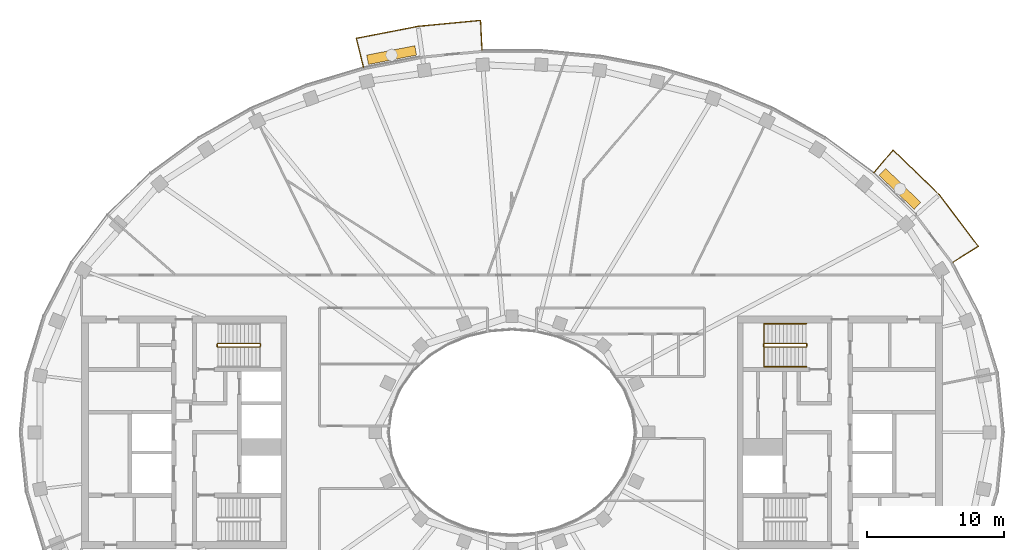
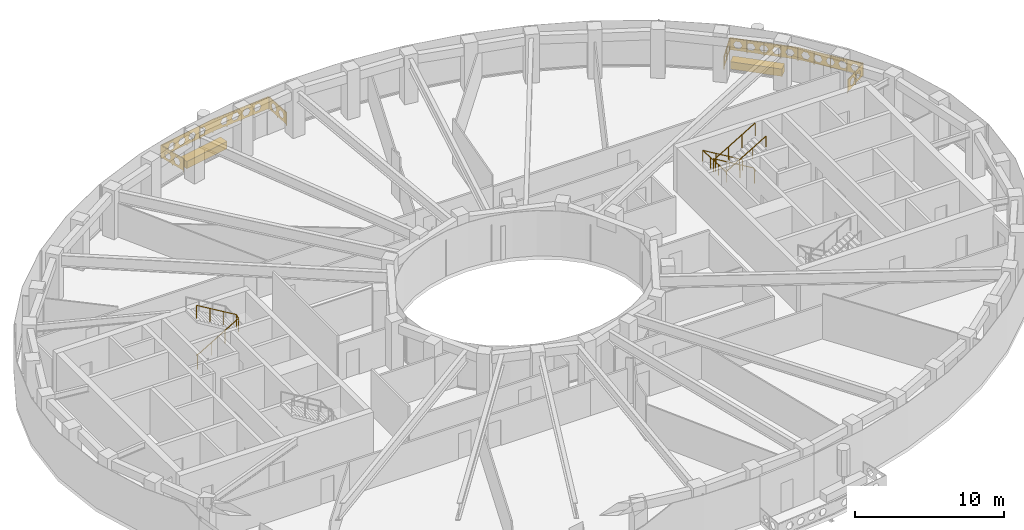
# One storey, part 15 of 16: 5 railings, 2 coverings.
"""IFC4 building model written with IfcOpenShell, lengths in metres."""

from ifc_helpers import new_model, si_unit, direction, frame, origin, origin_2d, place, context, subcontext, project, spatial, polyline, rectangle, outline, extrude, material, type_object, element, save


model = new_model("IFC4")

# Units and contexts
model_context = context("Model", 3, precision=1e-05, world=origin(), true_north=direction((0.0, 1.0)))
body_context = subcontext(model_context, "Body", "Model", "MODEL_VIEW")
ifc_project = project(units=[si_unit("LENGTHUNIT", "METRE"), si_unit("AREAUNIT", "SQUARE_METRE"), si_unit("VOLUMEUNIT", "CUBIC_METRE"), si_unit("PLANEANGLEUNIT", "RADIAN"), si_unit("MASSUNIT", "GRAM", prefix="KILO")], contexts=[model_context])

# Site, building, storey
site_placement = place(None, origin())
site = spatial("IfcSite", under=ifc_project, at=site_placement, CompositionType="ELEMENT")
building_placement = place(site_placement, origin())
building = spatial("IfcBuilding", under=site, at=building_placement, Name="Noorbagh Ring Tower", CompositionType="ELEMENT")
storey_placement = place(building_placement, frame((0.0, 0.0, 299.0)))
storey = spatial("IfcBuildingStorey", under=building, at=storey_placement, Name="L64", CompositionType="ELEMENT", Elevation=299.0)

# Railings
ifc_material_1 = material(Name="Stainless steel", Category="steel")
railing_type_1 = type_object("IfcRailingType", Name="CORE-STAIR-GUARD", PredefinedType="GUARDRAIL", material=ifc_material_1)
railing_1_placement = place(storey_placement, frame((-21.580078125, 6.300048828125, 0.0)))
element("IfcRailing", 1, at=railing_1_placement, inside=storey, type_object=railing_type_1, Name="L64 ST1 stair guard", PredefinedType="GUARDRAIL", context=body_context, shape_type="SweptSolid", body=[
    extrude(rectangle(XDim=0.048095703125, YDim=0.048095703125, at=origin_2d()), frame((0.0, 0.0, 1.076171875), z_axis=(0.0, 1.0, 0.0), x_axis=(-1.0, 0.0, 0.0)), (0.0, 0.0, 1.0), 0.14990234375),
    extrude(rectangle(XDim=0.048095703125, YDim=0.048095703125, at=origin_2d()), frame((0.0, 0.14990234375, 1.076171875), z_axis=(0.188775798145, -0.754182335027, 0.628945707965), x_axis=(0.970072785993, 0.242814311512, 0.0)), (0.0, 0.0, 1.0), 0.26513671875),
    extrude(rectangle(XDim=0.048095703125, YDim=0.048095703125, at=origin_2d()), frame((0.050048828125, -0.050048828125, 1.24267578125), z_axis=(0.859308565015, 0.0, 0.511457515432), x_axis=(0.0, 1.0, 0.0)), (0.0, 0.0, 1.0), 3.58447265625),
    extrude(rectangle(XDim=0.048095703125, YDim=0.048095703125, at=origin_2d()), frame((3.130126953125, -0.050048828125, 3.076171875), z_axis=(0.707106781187, 0.707106781187, 0.0), x_axis=(-0.707106781187, 0.707106781187, 0.0)), (0.0, 0.0, 1.0), 0.07080078125),
    extrude(rectangle(XDim=0.048095703125, YDim=0.048095703125, at=origin_2d()), frame((3.18017578125, 0.0, 3.076171875), z_axis=(0.0, 1.0, 0.0), x_axis=(-1.0, 0.0, 0.0)), (0.0, 0.0, 1.0), 0.14990234375),
    extrude(rectangle(XDim=0.048095703125, YDim=0.048095703125, at=origin_2d()), frame((3.18017578125, 0.14990234375, 3.076171875), z_axis=(-0.27628659633, 0.27628659633, 0.920506074601), x_axis=(-0.707106781187, -0.707106781187, 0.0)), (0.0, 0.0, 1.0), 0.18115234375),
    extrude(rectangle(XDim=0.048095703125, YDim=0.048095703125, at=origin_2d()), frame((3.130126953125, 0.199951171875, 3.24267578125), z_axis=(-0.859308565015, 0.0, 0.511457515432), x_axis=(0.0, -1.0, 0.0)), (0.0, 0.0, 1.0), 3.58447265625),
    extrude(rectangle(XDim=0.0419921875, YDim=0.0419921875, at=origin_2d()), origin(), (0.0, 0.0, 1.0), 1.052001953125),
    extrude(rectangle(XDim=0.0419921875, YDim=0.0419921875, at=origin_2d()), frame((1.07666015625, -0.050048828125, 0.77783203125)), (0.0, 0.0, 1.0), 1.052001953125),
    extrude(rectangle(XDim=0.0419921875, YDim=0.0419921875, at=origin_2d()), frame((2.103515625, -0.050048828125, 1.388916015625)), (0.0, 0.0, 1.0), 1.052001953125),
    extrude(rectangle(XDim=0.0419921875, YDim=0.0419921875, at=origin_2d()), frame((3.130126953125, -0.050048828125, 2.0)), (0.0, 0.0, 1.0), 1.052001953125),
    extrude(rectangle(XDim=0.0419921875, YDim=0.0419921875, at=origin_2d()), frame((3.130126953125, 0.199951171875, 2.166748046875)), (0.0, 0.0, 1.0), 1.052001953125),
    extrude(rectangle(XDim=0.0419921875, YDim=0.0419921875, at=origin_2d()), frame((2.103515625, 0.199951171875, 2.77783203125)), (0.0, 0.0, 1.0), 1.052001953125),
    extrude(rectangle(XDim=0.0419921875, YDim=0.0419921875, at=origin_2d()), frame((1.07666015625, 0.199951171875, 3.388916015625)), (0.0, 0.0, 1.0), 1.052001953125),
    extrude(rectangle(XDim=0.0419921875, YDim=0.0419921875, at=origin_2d()), frame((0.050048828125, 0.199951171875, 4.0)), (0.0, 0.0, 1.0), 1.052001953125),
])
railing_2_placement = place(storey_placement, frame((21.580078125, 6.449951171875, 0.0)))
element("IfcRailing", 2, at=railing_2_placement, inside=storey, type_object=railing_type_1, Name="L64 ST3 stair guard", PredefinedType="GUARDRAIL", context=body_context, shape_type="SweptSolid", body=[
    extrude(rectangle(XDim=0.048095703125, YDim=0.048095703125, at=origin_2d()), frame((0.0, 0.0, 1.076171875), z_axis=(0.0, -1.0, 0.0), x_axis=(1.0, 0.0, 0.0)), (0.0, 0.0, 1.0), 0.14990234375),
    extrude(rectangle(XDim=0.048095703125, YDim=0.048095703125, at=origin_2d()), frame((0.0, -0.14990234375, 1.076171875), z_axis=(-0.188775798145, 0.754182335027, 0.628945707965), x_axis=(-0.970072785993, -0.242814311512, 0.0)), (0.0, 0.0, 1.0), 0.26513671875),
    extrude(rectangle(XDim=0.048095703125, YDim=0.048095703125, at=origin_2d()), frame((-0.050048828125, 0.050048828125, 1.24267578125), z_axis=(-0.859308565015, 0.0, 0.511457515432), x_axis=(0.0, -1.0, 0.0)), (0.0, 0.0, 1.0), 3.58447265625),
    extrude(rectangle(XDim=0.048095703125, YDim=0.048095703125, at=origin_2d()), frame((-3.130126953125, 0.050048828125, 3.076171875), z_axis=(-0.707106781187, -0.707106781187, 0.0), x_axis=(0.707106781187, -0.707106781187, 0.0)), (0.0, 0.0, 1.0), 0.07080078125),
    extrude(rectangle(XDim=0.048095703125, YDim=0.048095703125, at=origin_2d()), frame((-3.18017578125, 0.0, 3.076171875), z_axis=(0.0, -1.0, 0.0), x_axis=(1.0, 0.0, 0.0)), (0.0, 0.0, 1.0), 0.14990234375),
    extrude(rectangle(XDim=0.048095703125, YDim=0.048095703125, at=origin_2d()), frame((-3.18017578125, -0.14990234375, 3.076171875), z_axis=(0.27628659633, -0.27628659633, 0.920506074601), x_axis=(0.707106781187, 0.707106781187, 0.0)), (0.0, 0.0, 1.0), 0.18115234375),
    extrude(rectangle(XDim=0.048095703125, YDim=0.048095703125, at=origin_2d()), frame((-3.130126953125, -0.199951171875, 3.24267578125), z_axis=(0.859308565015, 0.0, 0.511457515432), x_axis=(0.0, 1.0, 0.0)), (0.0, 0.0, 1.0), 3.58447265625),
    extrude(rectangle(XDim=0.0419921875, YDim=0.0419921875, at=origin_2d()), origin(), (0.0, 0.0, 1.0), 1.052001953125),
    extrude(rectangle(XDim=0.0419921875, YDim=0.0419921875, at=origin_2d()), frame((-1.07666015625, 0.050048828125, 0.77783203125)), (0.0, 0.0, 1.0), 1.052001953125),
    extrude(rectangle(XDim=0.0419921875, YDim=0.0419921875, at=origin_2d()), frame((-2.103515625, 0.050048828125, 1.388916015625)), (0.0, 0.0, 1.0), 1.052001953125),
    extrude(rectangle(XDim=0.0419921875, YDim=0.0419921875, at=origin_2d()), frame((-3.130126953125, 0.050048828125, 2.0)), (0.0, 0.0, 1.0), 1.052001953125),
    extrude(rectangle(XDim=0.0419921875, YDim=0.0419921875, at=origin_2d()), frame((-3.130126953125, -0.199951171875, 2.166748046875)), (0.0, 0.0, 1.0), 1.052001953125),
    extrude(rectangle(XDim=0.0419921875, YDim=0.0419921875, at=origin_2d()), frame((-2.103515625, -0.199951171875, 2.77783203125)), (0.0, 0.0, 1.0), 1.052001953125),
    extrude(rectangle(XDim=0.0419921875, YDim=0.0419921875, at=origin_2d()), frame((-1.07666015625, -0.199951171875, 3.388916015625)), (0.0, 0.0, 1.0), 1.052001953125),
    extrude(rectangle(XDim=0.0419921875, YDim=0.0419921875, at=origin_2d()), frame((-0.050048828125, -0.199951171875, 4.0)), (0.0, 0.0, 1.0), 1.052001953125),
])
ifc_material_2 = material(Name="Stainless steel", Category="steel")
railing_type_2 = type_object("IfcRailingType", Name="CORE-STAIR-HANDRAIL", PredefinedType="HANDRAIL", material=ifc_material_2)
railing_3_placement = place(storey_placement, frame((21.530029296875, 7.949951171875, 0.166748046875)))
element("IfcRailing", 3, at=railing_3_placement, inside=storey, type_object=railing_type_2, Name="L64 ST3 stair handrail", PredefinedType="HANDRAIL", context=body_context, shape_type="SweptSolid", body=[
    extrude(rectangle(XDim=0.048095703125, YDim=0.048095703125, at=origin_2d()), frame((0.0, 0.0, 0.8759765625), z_axis=(-0.859308565015, 0.0, 0.511457515432), x_axis=(0.0, -1.0, 0.0)), (0.0, 0.0, 1.0), 3.58447265625),
    extrude(rectangle(XDim=0.048095703125, YDim=0.048095703125, at=origin_2d()), frame((-3.080078125, 0.0, 2.708984375), z_axis=(0.0, -0.998601747152, 0.052863509014), x_axis=(1.0, 0.0, 0.0)), (0.0, 0.0, 1.0), 3.154296875),
    extrude(rectangle(XDim=0.048095703125, YDim=0.048095703125, at=origin_2d()), frame((-3.080078125, -3.14990234375, 2.8759765625), z_axis=(0.859308565015, 0.0, 0.511457515432), x_axis=(0.0, 1.0, 0.0)), (0.0, 0.0, 1.0), 3.58447265625),
    extrude(rectangle(XDim=0.0419921875, YDim=0.0419921875, at=origin_2d()), origin(), (0.0, 0.0, 1.0), 0.851806640625),
    extrude(rectangle(XDim=0.0419921875, YDim=0.0419921875, at=origin_2d()), frame((-1.026611328125, 0.0, 0.611083984375)), (0.0, 0.0, 1.0), 0.851806640625),
    extrude(rectangle(XDim=0.0419921875, YDim=0.0419921875, at=origin_2d()), frame((-2.053466796875, 0.0, 1.22216796875)), (0.0, 0.0, 1.0), 0.851806640625),
    extrude(rectangle(XDim=0.0419921875, YDim=0.0419921875, at=origin_2d()), frame((-3.080078125, 0.0, 1.833251953125)), (0.0, 0.0, 1.0), 0.851806640625),
    extrude(rectangle(XDim=0.0419921875, YDim=0.0419921875, at=origin_2d()), frame((-3.080078125, -1.050048828125, 1.888916015625)), (0.0, 0.0, 1.0), 0.851806640625),
    extrude(rectangle(XDim=0.0419921875, YDim=0.0419921875, at=origin_2d()), frame((-3.080078125, -2.099853515625, 1.9443359375)), (0.0, 0.0, 1.0), 0.851806640625),
    extrude(rectangle(XDim=0.0419921875, YDim=0.0419921875, at=origin_2d()), frame((-3.080078125, -3.14990234375, 2.0)), (0.0, 0.0, 1.0), 0.851806640625),
    extrude(rectangle(XDim=0.0419921875, YDim=0.0419921875, at=origin_2d()), frame((-2.053466796875, -3.14990234375, 2.611083984375)), (0.0, 0.0, 1.0), 0.851806640625),
    extrude(rectangle(XDim=0.0419921875, YDim=0.0419921875, at=origin_2d()), frame((-1.026611328125, -3.14990234375, 3.22216796875)), (0.0, 0.0, 1.0), 0.851806640625),
    extrude(rectangle(XDim=0.0419921875, YDim=0.0419921875, at=origin_2d()), frame((0.0, -3.14990234375, 3.833251953125)), (0.0, 0.0, 1.0), 0.851806640625),
])
ifc_material_3 = material(Name="Steel S275 black powder-coated", Category="steel")
railing_type_3 = type_object("IfcRailingType", Name="ENV-GUARD", PredefinedType="GUARDRAIL", material=ifc_material_3)
railing_4_placement = place(storey_placement, frame((32.255126953125, 12.434814453125, 0.0)))
element("IfcRailing", 4, at=railing_4_placement, inside=storey, type_object=railing_type_3, Name="Balcony guard BN01", PredefinedType="GUARDRAIL", context=body_context, shape_type="SweptSolid", body=[
    extrude(rectangle(XDim=0.048095703125, YDim=0.048095703125, at=origin_2d()), frame((0.0, 0.0, 1.076171875), z_axis=(0.844852397829, 0.534999463442, 0.0), x_axis=(-0.534999463442, 0.844852397829, 0.0)), (0.0, 0.0, 1.0), 2.207763671875),
    extrude(rectangle(XDim=0.048095703125, YDim=0.048095703125, at=origin_2d()), frame((1.865234375, 1.18115234375, 1.076171875), z_axis=(-0.604001613322, 0.796983093362, 0.0), x_axis=(-0.796983093362, -0.604001613322, 0.0)), (0.0, 0.0, 1.0), 4.7353515625),
    extrude(rectangle(XDim=0.048095703125, YDim=0.048095703125, at=origin_2d()), frame((-0.994873046875, 4.955078125, 1.076171875), z_axis=(-0.717212632946, 0.696854388766, 0.0), x_axis=(-0.696854388766, -0.717212632946, 0.0)), (0.0, 0.0, 1.0), 4.700927734375),
    extrude(rectangle(XDim=0.048095703125, YDim=0.048095703125, at=origin_2d()), frame((-4.366455078125, 8.23095703125, 1.076171875), z_axis=(-0.646413574048, -0.762987215677, 0.0), x_axis=(0.762987215677, -0.646413574048, 0.0)), (0.0, 0.0, 1.0), 2.205322265625),
    extrude(rectangle(XDim=0.0419921875, YDim=0.0419921875, at=origin_2d()), origin(), (0.0, 0.0, 1.0), 1.052001953125),
    extrude(rectangle(XDim=0.0419921875, YDim=0.0419921875, at=origin_2d()), frame((0.9326171875, 0.590576171875, 0.0)), (0.0, 0.0, 1.0), 1.052001953125),
    extrude(rectangle(XDim=0.0419921875, YDim=0.0419921875, at=origin_2d()), frame((1.865234375, 1.18115234375, 0.0)), (0.0, 0.0, 1.0), 1.052001953125),
    extrude(rectangle(XDim=0.0419921875, YDim=0.0419921875, at=origin_2d()), frame((1.150146484375, 2.12451171875, 0.0)), (0.0, 0.0, 1.0), 1.052001953125),
    extrude(rectangle(XDim=0.0419921875, YDim=0.0419921875, at=origin_2d()), frame((0.43505859375, 3.068115234375, 0.0)), (0.0, 0.0, 1.0), 1.052001953125),
    extrude(rectangle(XDim=0.0419921875, YDim=0.0419921875, at=origin_2d()), frame((-0.27978515625, 4.01171875, 0.0)), (0.0, 0.0, 1.0), 1.052001953125),
    extrude(rectangle(XDim=0.0419921875, YDim=0.0419921875, at=origin_2d()), frame((-0.994873046875, 4.955078125, 0.0)), (0.0, 0.0, 1.0), 1.052001953125),
    extrude(rectangle(XDim=0.0419921875, YDim=0.0419921875, at=origin_2d()), frame((-1.837890625, 5.77392578125, 0.0)), (0.0, 0.0, 1.0), 1.052001953125),
    extrude(rectangle(XDim=0.0419921875, YDim=0.0419921875, at=origin_2d()), frame((-2.6806640625, 6.593017578125, 0.0)), (0.0, 0.0, 1.0), 1.052001953125),
    extrude(rectangle(XDim=0.0419921875, YDim=0.0419921875, at=origin_2d()), frame((-3.5234375, 7.412109375, 0.0)), (0.0, 0.0, 1.0), 1.052001953125),
    extrude(rectangle(XDim=0.0419921875, YDim=0.0419921875, at=origin_2d()), frame((-4.366455078125, 8.23095703125, 0.0)), (0.0, 0.0, 1.0), 1.052001953125),
    extrude(rectangle(XDim=0.0419921875, YDim=0.0419921875, at=origin_2d()), frame((-5.0791015625, 7.3896484375, 0.0)), (0.0, 0.0, 1.0), 1.052001953125),
    extrude(rectangle(XDim=0.0419921875, YDim=0.0419921875, at=origin_2d()), frame((-5.7919921875, 6.54833984375, 0.0)), (0.0, 0.0, 1.0), 1.052001953125),
    extrude(outline(polyline([(0.0, 0.10009765625), (2.207763671875, 0.10009765625), (2.207763671875, 1.031982421875), (0.0, 1.031982421875), (0.0, 0.10009765625)]), holes=[polyline([(0.9638671875, 0.56591796875), (0.808837890625, 0.83447265625), (0.498779296875, 0.83447265625), (0.343994140625, 0.56591796875), (0.498779296875, 0.297607421875), (0.808837890625, 0.297607421875), (0.9638671875, 0.56591796875)]), polyline([(1.86376953125, 0.56591796875), (1.708984375, 0.83447265625), (1.39892578125, 0.83447265625), (1.243896484375, 0.56591796875), (1.39892578125, 0.297607421875), (1.708984375, 0.297607421875), (1.86376953125, 0.56591796875)])]), frame((-0.00537109375, 0.008544921875, 0.0), z_axis=(0.534999463442, -0.844852397829, 0.0), x_axis=(0.844852397829, 0.534999463442, 0.0)), (0.0, 0.0, 1.0), 0.02001953125),
    extrude(outline(polyline([(0.0, 0.10009765625), (4.7353515625, 0.10009765625), (4.7353515625, 1.031982421875), (0.0, 1.031982421875), (0.0, 0.10009765625)]), holes=[polyline([(0.877685546875, 0.56591796875), (0.72265625, 0.83447265625), (0.41259765625, 0.83447265625), (0.257568359375, 0.56591796875), (0.41259765625, 0.297607421875), (0.72265625, 0.297607421875), (0.877685546875, 0.56591796875)]), polyline([(1.777587890625, 0.56591796875), (1.62255859375, 0.83447265625), (1.312744140625, 0.83447265625), (1.15771484375, 0.56591796875), (1.312744140625, 0.297607421875), (1.62255859375, 0.297607421875), (1.777587890625, 0.56591796875)]), polyline([(2.677734375, 0.56591796875), (2.522705078125, 0.83447265625), (2.212646484375, 0.83447265625), (2.0576171875, 0.56591796875), (2.212646484375, 0.297607421875), (2.522705078125, 0.297607421875), (2.677734375, 0.56591796875)]), polyline([(3.57763671875, 0.56591796875), (3.422607421875, 0.83447265625), (3.112548828125, 0.83447265625), (2.95751953125, 0.56591796875), (3.112548828125, 0.297607421875), (3.422607421875, 0.297607421875), (3.57763671875, 0.56591796875)]), polyline([(4.4775390625, 0.56591796875), (4.32275390625, 0.83447265625), (4.0126953125, 0.83447265625), (3.857666015625, 0.56591796875), (4.0126953125, 0.297607421875), (4.32275390625, 0.297607421875), (4.4775390625, 0.56591796875)])]), frame((1.857177734375, 1.175048828125, 0.0), z_axis=(0.796983093362, 0.604001613322, 0.0), x_axis=(-0.604001613322, 0.796983093362, 0.0)), (0.0, 0.0, 1.0), 0.02001953125),
    extrude(outline(polyline([(0.0, 0.10009765625), (4.700927734375, 0.10009765625), (4.700927734375, 1.031982421875), (0.0, 1.031982421875), (0.0, 0.10009765625)]), holes=[polyline([(0.860595703125, 0.56591796875), (0.70556640625, 0.83447265625), (0.3955078125, 0.83447265625), (0.240478515625, 0.56591796875), (0.3955078125, 0.297607421875), (0.70556640625, 0.297607421875), (0.860595703125, 0.56591796875)]), polyline([(1.760498046875, 0.56591796875), (1.60546875, 0.83447265625), (1.29541015625, 0.83447265625), (1.140380859375, 0.56591796875), (1.29541015625, 0.297607421875), (1.60546875, 0.297607421875), (1.760498046875, 0.56591796875)]), polyline([(2.660400390625, 0.56591796875), (2.50537109375, 0.83447265625), (2.195556640625, 0.83447265625), (2.04052734375, 0.56591796875), (2.195556640625, 0.297607421875), (2.50537109375, 0.297607421875), (2.660400390625, 0.56591796875)]), polyline([(3.560546875, 0.56591796875), (3.405517578125, 0.83447265625), (3.095458984375, 0.83447265625), (2.9404296875, 0.56591796875), (3.095458984375, 0.297607421875), (3.405517578125, 0.297607421875), (3.560546875, 0.56591796875)]), polyline([(4.46044921875, 0.56591796875), (4.305419921875, 0.83447265625), (3.995361328125, 0.83447265625), (3.840576171875, 0.56591796875), (3.995361328125, 0.297607421875), (4.305419921875, 0.297607421875), (4.46044921875, 0.56591796875)])]), frame((-1.001953125, 4.947998046875, 0.0), z_axis=(0.696854388766, 0.717212632946, 0.0), x_axis=(-0.717212632946, 0.696854388766, 0.0)), (0.0, 0.0, 1.0), 0.02001953125),
    extrude(outline(polyline([(0.0, 0.10009765625), (2.205322265625, 0.10009765625), (2.205322265625, 1.031982421875), (0.0, 1.031982421875), (0.0, 0.10009765625)]), holes=[polyline([(0.962646484375, 0.56591796875), (0.8076171875, 0.83447265625), (0.49755859375, 0.83447265625), (0.342529296875, 0.56591796875), (0.49755859375, 0.297607421875), (0.8076171875, 0.297607421875), (0.962646484375, 0.56591796875)]), polyline([(1.862548828125, 0.56591796875), (1.707763671875, 0.83447265625), (1.397705078125, 0.83447265625), (1.24267578125, 0.56591796875), (1.397705078125, 0.297607421875), (1.707763671875, 0.297607421875), (1.862548828125, 0.56591796875)])]), frame((-4.35888671875, 8.224609375, 0.0), z_axis=(-0.762987215677, 0.646413574048, 0.0), x_axis=(-0.646413574048, -0.762987215677, 0.0)), (0.0, 0.0, 1.0), 0.02001953125),
])
railing_5_placement = place(storey_placement, frame((-2.193115234375, 27.947998046875, 0.0)))
element("IfcRailing", 5, at=railing_5_placement, inside=storey, type_object=railing_type_3, Name="Balcony guard BN04", PredefinedType="GUARDRAIL", context=body_context, shape_type="SweptSolid", body=[
    extrude(rectangle(XDim=0.048095703125, YDim=0.048095703125, at=origin_2d()), frame((0.0, 0.0, 1.076171875), z_axis=(-0.047554616162, 0.998868639252, 0.0), x_axis=(-0.998868639252, -0.047554616162, 0.0)), (0.0, 0.0, 1.0), 2.202392578125),
    extrude(rectangle(XDim=0.048095703125, YDim=0.048095703125, at=origin_2d()), frame((-0.104736328125, 2.199951171875, 1.076171875), z_axis=(-0.995477555764, -0.094997031379, 0.0), x_axis=(0.094997031379, -0.995477555764, 0.0)), (0.0, 0.0, 1.0), 4.59765625),
    extrude(rectangle(XDim=0.048095703125, YDim=0.048095703125, at=origin_2d()), frame((-4.681640625, 1.76318359375, 1.076171875), z_axis=(-0.981625049064, -0.1908199755, 0.0), x_axis=(0.1908199755, -0.981625049064, 0.0)), (0.0, 0.0, 1.0), 4.603271484375),
    extrude(rectangle(XDim=0.048095703125, YDim=0.048095703125, at=origin_2d()), frame((-9.200439453125, 0.884765625, 1.076171875), z_axis=(0.239848558412, -0.970810315679, 0.0), x_axis=(0.970810315679, 0.239848558412, 0.0)), (0.0, 0.0, 1.0), 2.20263671875),
    extrude(rectangle(XDim=0.0419921875, YDim=0.0419921875, at=origin_2d()), origin(), (0.0, 0.0, 1.0), 1.052001953125),
    extrude(rectangle(XDim=0.0419921875, YDim=0.0419921875, at=origin_2d()), frame((-0.05224609375, 1.10009765625, 0.0)), (0.0, 0.0, 1.0), 1.052001953125),
    extrude(rectangle(XDim=0.0419921875, YDim=0.0419921875, at=origin_2d()), frame((-0.104736328125, 2.199951171875, 0.0)), (0.0, 0.0, 1.0), 1.052001953125),
    extrude(rectangle(XDim=0.0419921875, YDim=0.0419921875, at=origin_2d()), frame((-1.2490234375, 2.0908203125, 0.0)), (0.0, 0.0, 1.0), 1.052001953125),
    extrude(rectangle(XDim=0.0419921875, YDim=0.0419921875, at=origin_2d()), frame((-2.39306640625, 1.9814453125, 0.0)), (0.0, 0.0, 1.0), 1.052001953125),
    extrude(rectangle(XDim=0.0419921875, YDim=0.0419921875, at=origin_2d()), frame((-3.537353515625, 1.872314453125, 0.0)), (0.0, 0.0, 1.0), 1.052001953125),
    extrude(rectangle(XDim=0.0419921875, YDim=0.0419921875, at=origin_2d()), frame((-4.681640625, 1.76318359375, 0.0)), (0.0, 0.0, 1.0), 1.052001953125),
    extrude(rectangle(XDim=0.0419921875, YDim=0.0419921875, at=origin_2d()), frame((-5.811279296875, 1.54345703125, 0.0)), (0.0, 0.0, 1.0), 1.052001953125),
    extrude(rectangle(XDim=0.0419921875, YDim=0.0419921875, at=origin_2d()), frame((-6.94091796875, 1.323974609375, 0.0)), (0.0, 0.0, 1.0), 1.052001953125),
    extrude(rectangle(XDim=0.0419921875, YDim=0.0419921875, at=origin_2d()), frame((-8.07080078125, 1.1044921875, 0.0)), (0.0, 0.0, 1.0), 1.052001953125),
    extrude(rectangle(XDim=0.0419921875, YDim=0.0419921875, at=origin_2d()), frame((-9.200439453125, 0.884765625, 0.0)), (0.0, 0.0, 1.0), 1.052001953125),
    extrude(rectangle(XDim=0.0419921875, YDim=0.0419921875, at=origin_2d()), frame((-8.936279296875, -0.1845703125, 0.0)), (0.0, 0.0, 1.0), 1.052001953125),
    extrude(rectangle(XDim=0.0419921875, YDim=0.0419921875, at=origin_2d()), frame((-8.672119140625, -1.253662109375, 0.0)), (0.0, 0.0, 1.0), 1.052001953125),
    extrude(outline(polyline([(0.0, 0.10009765625), (2.202392578125, 0.10009765625), (2.202392578125, 1.031982421875), (0.0, 1.031982421875), (0.0, 0.10009765625)]), holes=[polyline([(0.961181640625, 0.56591796875), (0.80615234375, 0.83447265625), (0.496337890625, 0.83447265625), (0.34130859375, 0.56591796875), (0.496337890625, 0.297607421875), (0.80615234375, 0.297607421875), (0.961181640625, 0.56591796875)]), polyline([(1.861328125, 0.56591796875), (1.706298828125, 0.83447265625), (1.396240234375, 0.83447265625), (1.2412109375, 0.56591796875), (1.396240234375, 0.297607421875), (1.706298828125, 0.297607421875), (1.861328125, 0.56591796875)])]), frame((-0.010009765625, -0.00048828125, 0.0), z_axis=(0.998868639252, 0.047554616162, 0.0), x_axis=(-0.047554616162, 0.998868639252, 0.0)), (0.0, 0.0, 1.0), 0.02001953125),
    extrude(outline(polyline([(0.0, 0.10009765625), (4.59765625, 0.10009765625), (4.59765625, 1.031982421875), (0.0, 1.031982421875), (0.0, 0.10009765625)]), holes=[polyline([(1.2587890625, 0.56591796875), (1.103759765625, 0.83447265625), (0.7939453125, 0.83447265625), (0.638916015625, 0.56591796875), (0.7939453125, 0.297607421875), (1.103759765625, 0.297607421875), (1.2587890625, 0.56591796875)]), polyline([(2.158935546875, 0.56591796875), (2.00390625, 0.83447265625), (1.69384765625, 0.83447265625), (1.538818359375, 0.56591796875), (1.69384765625, 0.297607421875), (2.00390625, 0.297607421875), (2.158935546875, 0.56591796875)]), polyline([(3.058837890625, 0.56591796875), (2.90380859375, 0.83447265625), (2.59375, 0.83447265625), (2.43896484375, 0.56591796875), (2.59375, 0.297607421875), (2.90380859375, 0.297607421875), (3.058837890625, 0.56591796875)]), polyline([(3.958740234375, 0.56591796875), (3.803955078125, 0.83447265625), (3.493896484375, 0.83447265625), (3.3388671875, 0.56591796875), (3.493896484375, 0.297607421875), (3.803955078125, 0.297607421875), (3.958740234375, 0.56591796875)])]), frame((-0.103759765625, 2.18994140625, 0.0), z_axis=(-0.094997031379, 0.995477555764, 0.0), x_axis=(-0.995477555764, -0.094997031379, 0.0)), (0.0, 0.0, 1.0), 0.02001953125),
    extrude(outline(polyline([(0.0, 0.10009765625), (4.603271484375, 0.10009765625), (4.603271484375, 1.031982421875), (0.0, 1.031982421875), (0.0, 0.10009765625)]), holes=[polyline([(1.26171875, 0.56591796875), (1.106689453125, 0.83447265625), (0.796630859375, 0.83447265625), (0.6416015625, 0.56591796875), (0.796630859375, 0.297607421875), (1.106689453125, 0.297607421875), (1.26171875, 0.56591796875)]), polyline([(2.16162109375, 0.56591796875), (2.006591796875, 0.83447265625), (1.69677734375, 0.83447265625), (1.541748046875, 0.56591796875), (1.69677734375, 0.297607421875), (2.006591796875, 0.297607421875), (2.16162109375, 0.56591796875)]), polyline([(3.061767578125, 0.56591796875), (2.90673828125, 0.83447265625), (2.5966796875, 0.83447265625), (2.441650390625, 0.56591796875), (2.5966796875, 0.297607421875), (2.90673828125, 0.297607421875), (3.061767578125, 0.56591796875)]), polyline([(3.961669921875, 0.56591796875), (3.806640625, 0.83447265625), (3.49658203125, 0.83447265625), (3.341796875, 0.56591796875), (3.49658203125, 0.297607421875), (3.806640625, 0.297607421875), (3.961669921875, 0.56591796875)])]), frame((-4.6796875, 1.75341796875, 0.0), z_axis=(-0.1908199755, 0.981625049064, 0.0), x_axis=(-0.981625049064, -0.1908199755, 0.0)), (0.0, 0.0, 1.0), 0.02001953125),
    extrude(outline(polyline([(0.0, 0.10009765625), (2.20263671875, 0.10009765625), (2.20263671875, 1.031982421875), (0.0, 1.031982421875), (0.0, 0.10009765625)]), holes=[polyline([(0.96142578125, 0.56591796875), (0.806396484375, 0.83447265625), (0.496337890625, 0.83447265625), (0.34130859375, 0.56591796875), (0.496337890625, 0.297607421875), (0.806396484375, 0.297607421875), (0.96142578125, 0.56591796875)]), polyline([(1.861328125, 0.56591796875), (1.706298828125, 0.83447265625), (1.396240234375, 0.83447265625), (1.241455078125, 0.56591796875), (1.396240234375, 0.297607421875), (1.706298828125, 0.297607421875), (1.861328125, 0.56591796875)])]), frame((-9.190673828125, 0.88720703125, 0.0), z_axis=(-0.970810315679, -0.239848558412, 0.0), x_axis=(0.239848558412, -0.970810315679, 0.0)), (0.0, 0.0, 1.0), 0.02001953125),
])

# Coverings
ifc_material_4 = material(Name="Concrete C30/37 planter with soil", Category="concrete")
covering_type = type_object("IfcCoveringType", Name="ENV-PLANTER", PredefinedType="CLADDING", material=ifc_material_4)
covering_1_placement = place(storey_placement, frame((28.3837890625, 17.814208984375, 0.0), z_axis=(0.0, 0.0, 1.0), x_axis=(-0.717224548362, 0.696842125038, 0.0)))
element("IfcCovering", 6, at=covering_1_placement, inside=storey, type_object=covering_type, Name="PLANTER BN01", ObjectType="PLANTER", PredefinedType="CLADDING", context=body_context, shape_type="SweptSolid", body=[
    extrude(rectangle(XDim=3.584228515625, YDim=0.699951171875, at=origin_2d()), origin(), (0.0, 0.0, 1.0), 0.60009765625),
])
covering_2_placement = place(storey_placement, frame((-8.807861328125, 27.603515625, 0.0), z_axis=(0.0, 0.0, 1.0), x_axis=(-0.981624952922, -0.190820470077, 0.0)))
element("IfcCovering", 7, at=covering_2_placement, inside=storey, type_object=covering_type, Name="PLANTER BN04", ObjectType="PLANTER", PredefinedType="CLADDING", context=body_context, shape_type="SweptSolid", body=[
    extrude(rectangle(XDim=3.586181640625, YDim=0.699951171875, at=origin_2d()), origin(), (0.0, 0.0, 1.0), 0.60009765625),
])

save(model, "model.ifc")
